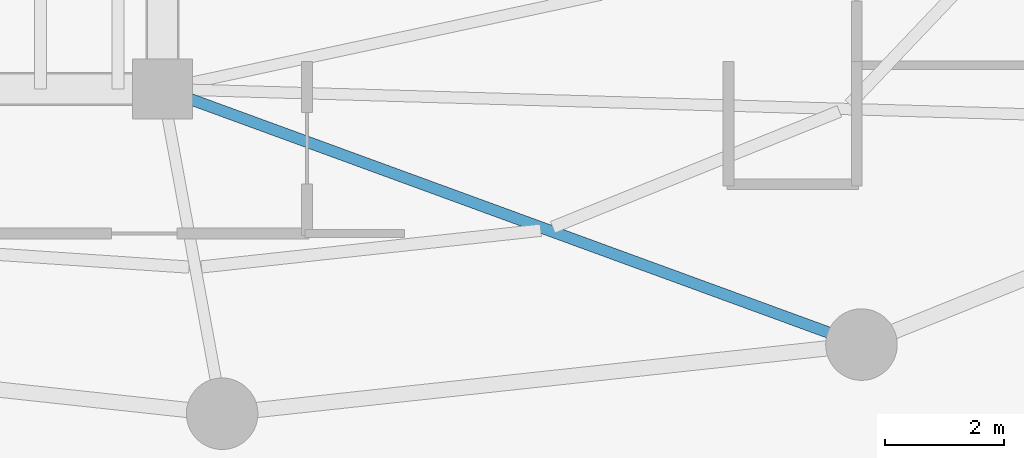
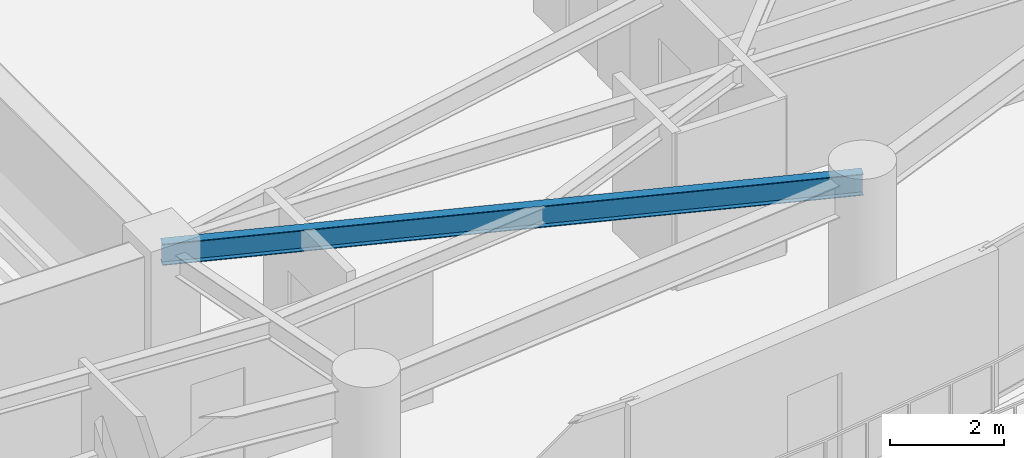
# One storey, part 11 of 34: 1 beam.
"""IFC4 building model written with IfcOpenShell, lengths in metres."""

from ifc_helpers import new_model, si_unit, direction, frame, origin, origin_2d, place, context, subcontext, project, spatial, i_section, extrude, material, material_profile, profile_set, type_object, element, save


model = new_model("IFC4")

# Units and contexts
model_context = context("Model", 3, precision=1e-05, world=origin(), true_north=direction((0.0, 1.0)))
body_context = subcontext(model_context, "Body", "Model", "MODEL_VIEW")
ifc_project = project(units=[si_unit("LENGTHUNIT", "METRE"), si_unit("AREAUNIT", "SQUARE_METRE"), si_unit("VOLUMEUNIT", "CUBIC_METRE"), si_unit("PLANEANGLEUNIT", "RADIAN"), si_unit("MASSUNIT", "GRAM", prefix="KILO")], contexts=[model_context])

# Site, building, storey
site_placement = place(None, origin())
site = spatial("IfcSite", under=ifc_project, at=site_placement, CompositionType="ELEMENT")
building_placement = place(site_placement, origin())
building = spatial("IfcBuilding", under=site, at=building_placement, Name="Kazevale Care Tower and Concert Hall", CompositionType="ELEMENT")
storey_placement = place(building_placement, frame((0.0, 0.0, 156.60009765625)))
storey = spatial("IfcBuildingStorey", under=building, at=storey_placement, Name="L41", CompositionType="ELEMENT", Elevation=156.60009765625)

# Beam
ifc_material = material(Name="Steel ASTM A572 Gr 50", Category="steel")
ifc_material_profile = material_profile(ifc_material, i_section(OverallWidth=0.19091796875, OverallDepth=0.4599609375, WebThickness=0.010009765625, FlangeThickness=0.01611328125, at=origin_2d()), Name="W460x82")
ifc_profile_set = profile_set([ifc_material_profile], Name="Steel ASTM A572 Gr 50")
beam_type = type_object("IfcBeamType", Name="Radial Floor Beam W460x82", PredefinedType="BEAM", material=ifc_profile_set)
beam_placement = place(storey_placement, frame((44.0, 23.60009765625, 3.1298828125), z_axis=(0.939159459123, -0.343481455599, 0.0), x_axis=(0.343481455599, 0.939159459123, 0.0)))
element("IfcBeam", 1, at=beam_placement, inside=storey, type_object=beam_type, Name="beam:L41:rad:14", PredefinedType="BEAM", context=body_context, shape_type="SweptSolid", body=[
    extrude(i_section(OverallWidth=0.19091796875, OverallDepth=0.4599609375, WebThickness=0.010009765625, FlangeThickness=0.01611328125, at=origin_2d()), origin(), (0.0, 0.0, 1.0), 12.489990234375),
])

save(model, "model.ifc")
